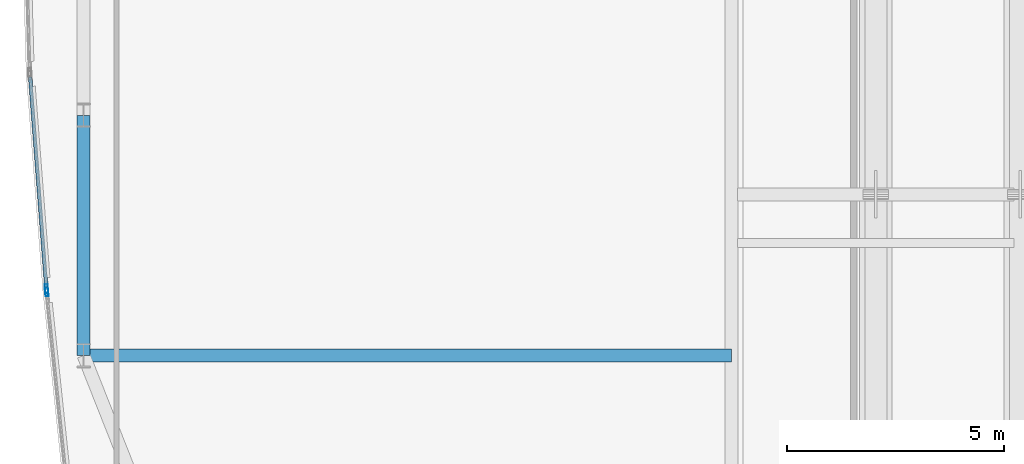
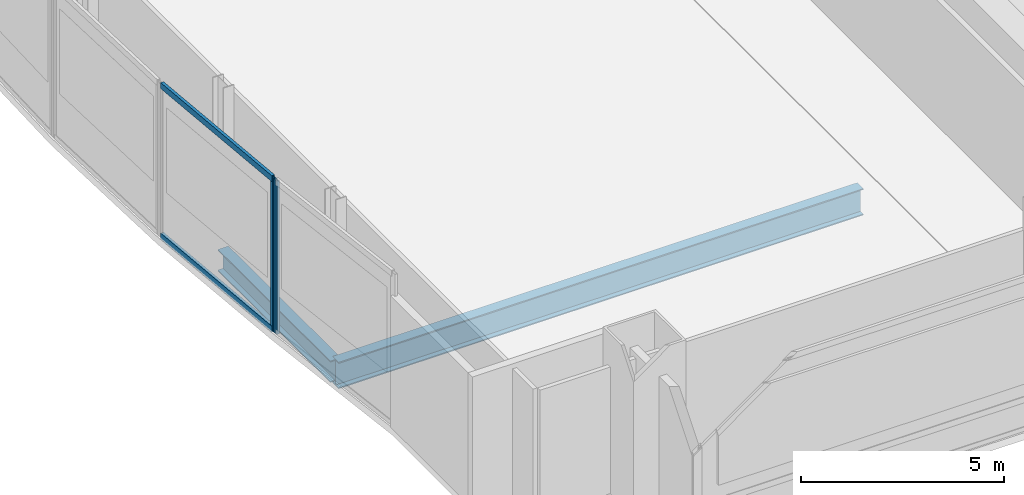
# One storey, part 7 of 32: 4 members, 2 beams, 2 elements without a shape of their own.
"""IFC4 building model written with IfcOpenShell, lengths in metres."""

from ifc_helpers import new_model, si_unit, direction, frame, origin, origin_2d, place, context, subcontext, project, spatial, hollow_rectangle, i_section, extrude, material, material_profile, profile_set, type_object, element, aggregate, save


model = new_model("IFC4")

# Units and contexts
model_context = context("Model", 3, precision=1e-05, world=origin(), true_north=direction((0.0, 1.0)))
body_context = subcontext(model_context, "Body", "Model", "MODEL_VIEW")
ifc_project = project(units=[si_unit("LENGTHUNIT", "METRE"), si_unit("AREAUNIT", "SQUARE_METRE"), si_unit("VOLUMEUNIT", "CUBIC_METRE"), si_unit("PLANEANGLEUNIT", "RADIAN"), si_unit("MASSUNIT", "GRAM", prefix="KILO")], contexts=[model_context])

# Site, building, storey
site_placement = place(None, origin())
site = spatial("IfcSite", under=ifc_project, at=site_placement, CompositionType="ELEMENT")
building_placement = place(site_placement, origin())
building = spatial("IfcBuilding", under=site, at=building_placement, Name="Khoronbel Lancet Exchange", CompositionType="ELEMENT")
storey_placement = place(building_placement, frame((0.0, 0.0, 85.800048828125)))
storey = spatial("IfcBuildingStorey", under=building, at=storey_placement, Name="L20", CompositionType="ELEMENT", Elevation=85.800048828125)

# Beams
ifc_material_1 = material(Name="Steel S355", Category="steel")
ifc_material_profile_1 = material_profile(ifc_material_1, i_section(OverallWidth=0.300048828125, OverallDepth=0.800048828125, WebThickness=0.017578125, FlangeThickness=0.032958984375, at=origin_2d()), Name="HEB 800")
ifc_profile_set_1 = profile_set([ifc_material_profile_1], Name="Steel S355")
beam_type_1 = type_object("IfcBeamType", Name="BM-BG2", PredefinedType="BEAM", material=ifc_profile_set_1)
beam_1_placement = place(storey_placement, frame((3.27001953125, 19.199951171875, -0.6201171875), z_axis=(1.0, 0.0, 0.0), x_axis=(0.0, 1.0, 0.0)))
element("IfcBeam", 1, at=beam_1_placement, inside=storey, type_object=beam_type_1, Name="Level L20 west lens tie girder LG1W", PredefinedType="BEAM", context=body_context, shape_type="SweptSolid", body=[
    extrude(i_section(OverallWidth=0.300048828125, OverallDepth=0.800048828125, WebThickness=0.017578125, FlangeThickness=0.032958984375, at=origin_2d()), origin(), (0.0, 0.0, 1.0), 14.955078125),
])
ifc_material_profile_2 = material_profile(ifc_material_1, i_section(OverallWidth=0.300048828125, OverallDepth=0.64990234375, WebThickness=0.01611328125, FlangeThickness=0.031005859375, at=origin_2d()), Name="HEB 650")
ifc_profile_set_2 = profile_set([ifc_material_profile_2], Name="Steel S355")
beam_type_2 = type_object("IfcBeamType", Name="BM-BSP1", PredefinedType="SPANDREL", material=ifc_profile_set_2)
beam_2_placement = place(storey_placement, frame((3.27001953125, 24.75, -0.545166015625), z_axis=(0.0, -1.0, 0.0), x_axis=(1.0, 0.0, 0.0)))
element("IfcBeam", 2, at=beam_2_placement, inside=storey, type_object=beam_type_2, Name="Level L20 perimeter spandrel beam SP20", PredefinedType="SPANDREL", context=body_context, shape_type="SweptSolid", body=[
    extrude(i_section(OverallWidth=0.300048828125, OverallDepth=0.64990234375, WebThickness=0.01611328125, FlangeThickness=0.031005859375, at=origin_2d()), origin(), (0.0, 0.0, 1.0), 5.550048828125),
])

# Curtain wall, member
ifc_material_2 = material(Name="Low-E Solar Control Insulating Glass", Category="glass")
curtain_wall_type = type_object("IfcCurtainWallType", Name="CW-4", PredefinedType="NOTDEFINED", material=ifc_material_2)
curtain_wall_1_placement = place(storey_placement, origin())
curtain_wall_1 = element("IfcCurtainWall", 3, at=curtain_wall_1_placement, inside=storey, type_object=curtain_wall_type, Name="Unitised curtain wall CW-L20-E04", PredefinedType="NOTDEFINED")
ifc_material_3 = material(Name="Bronze-Anodised Aluminium 6063-T6", Category="aluminium")
ifc_material_profile_3 = material_profile(ifc_material_3, hollow_rectangle(XDim=0.074951171875, YDim=0.199951171875, WallThickness=0.0048828125, at=origin_2d()), Name="ALU MULLION 75x200")
ifc_profile_set_3 = profile_set([ifc_material_profile_3], Name="Bronze-Anodised Aluminium 6063-T6")
member_type_1 = type_object("IfcMemberType", Name="MEM-CWM2", PredefinedType="MULLION", material=ifc_profile_set_3)
member_1_placement = place(storey_placement, frame((2.41845703125, 20.6708984375, 0.0), z_axis=(0.0, 0.0, 1.0), x_axis=(-0.994531779003, -0.104434383958, 0.0)))
member_1 = element("IfcMember", 4, at=member_1_placement, type_object=member_type_1, Name="CW4 mullion 2", PredefinedType="MULLION", context=body_context, shape_type="SweptSolid", body=[
    extrude(hollow_rectangle(XDim=0.074951171875, YDim=0.199951171875, WallThickness=0.0048828125, at=origin_2d()), origin(), (0.0, 0.0, 1.0), 4.619873046875),
])
aggregate(curtain_wall_1, [member_1])

# Curtain wall, members
curtain_wall_2_placement = place(storey_placement, origin())
curtain_wall_2 = element("IfcCurtainWall", 5, at=curtain_wall_2_placement, inside=storey, type_object=curtain_wall_type, Name="Unitised curtain wall CW-L20-E05", PredefinedType="NOTDEFINED")
member_2_placement = place(storey_placement, frame((2.41162109375, 20.74560546875, 0.0), z_axis=(0.0, 0.0, 1.0), x_axis=(-0.997059882555, -0.076626304874, 0.0)))
member_2 = element("IfcMember", 6, at=member_2_placement, type_object=member_type_1, Name="CW4 mullion 1", PredefinedType="MULLION", context=body_context, shape_type="SweptSolid", body=[
    extrude(hollow_rectangle(XDim=0.074951171875, YDim=0.199951171875, WallThickness=0.0048828125, at=origin_2d()), origin(), (0.0, 0.0, 1.0), 4.619873046875),
])
ifc_material_profile_4 = material_profile(ifc_material_3, hollow_rectangle(XDim=0.0849609375, YDim=0.179931640625, WallThickness=0.0048828125, at=origin_2d()), Name="ALU TRANSOM 85x180")
ifc_profile_set_4 = profile_set([ifc_material_profile_4], Name="Bronze-Anodised Aluminium 6063-T6")
member_type_2 = type_object("IfcMemberType", Name="MEM-CWT1", PredefinedType="USERDEFINED", material=ifc_profile_set_4)
member_3_placement = place(storey_placement, frame((2.408935546875, 20.782958984375, 0.04248046875), z_axis=(-0.076638891079, 0.997058915197, 0.0), x_axis=(-0.997058915197, -0.076638891079, 0.0)))
member_3 = element("IfcMember", 7, at=member_3_placement, type_object=member_type_2, Name="CW4 transom 1.1", ObjectType="TRANSOM", PredefinedType="USERDEFINED", context=body_context, shape_type="SweptSolid", body=[
    extrude(hollow_rectangle(XDim=0.0849609375, YDim=0.179931640625, WallThickness=0.0048828125, at=origin_2d()), origin(), (0.0, 0.0, 1.0), 4.861328125),
])
member_4_placement = place(storey_placement, frame((2.408935546875, 20.782958984375, 4.577392578125), z_axis=(-0.076638891079, 0.997058915197, 0.0), x_axis=(-0.997058915197, -0.076638891079, 0.0)))
member_4 = element("IfcMember", 8, at=member_4_placement, type_object=member_type_2, Name="CW4 transom 1.2", ObjectType="TRANSOM", PredefinedType="USERDEFINED", context=body_context, shape_type="SweptSolid", body=[
    extrude(hollow_rectangle(XDim=0.0849609375, YDim=0.179931640625, WallThickness=0.0048828125, at=origin_2d()), origin(), (0.0, 0.0, 1.0), 4.861328125),
])
aggregate(curtain_wall_2, [member_2, member_3, member_4])

save(model, "model.ifc")
